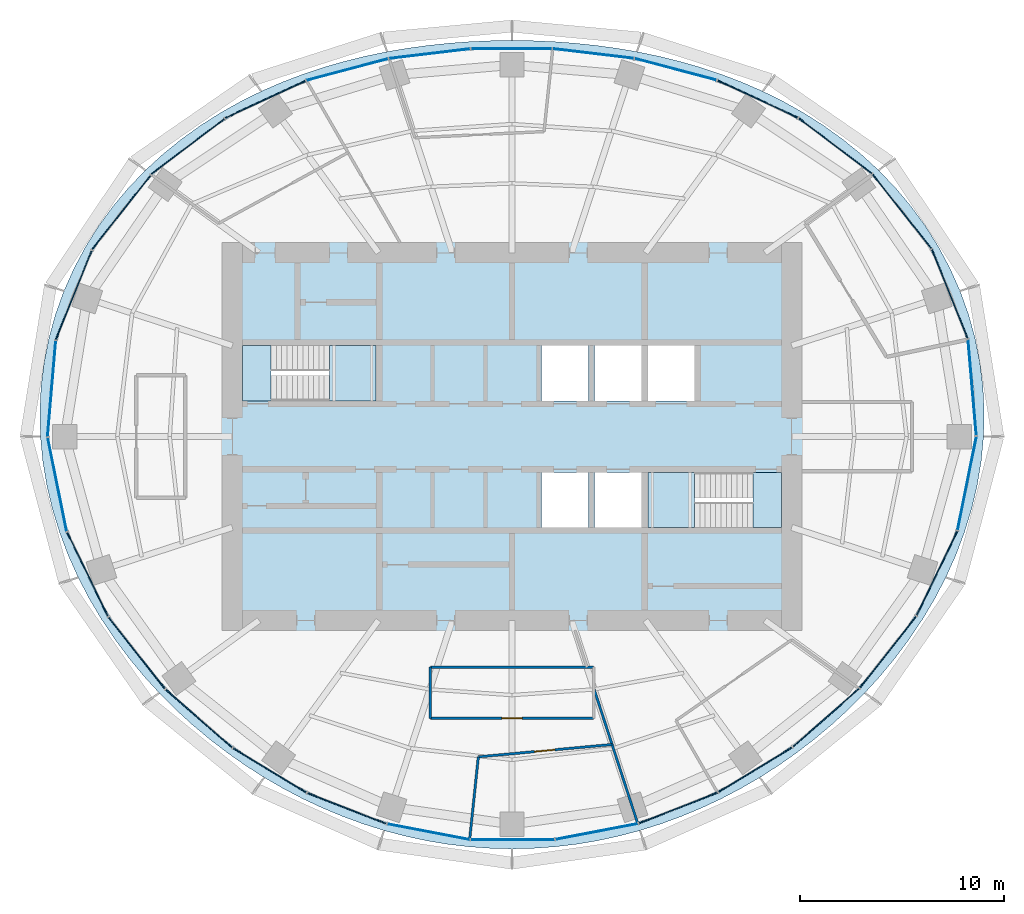
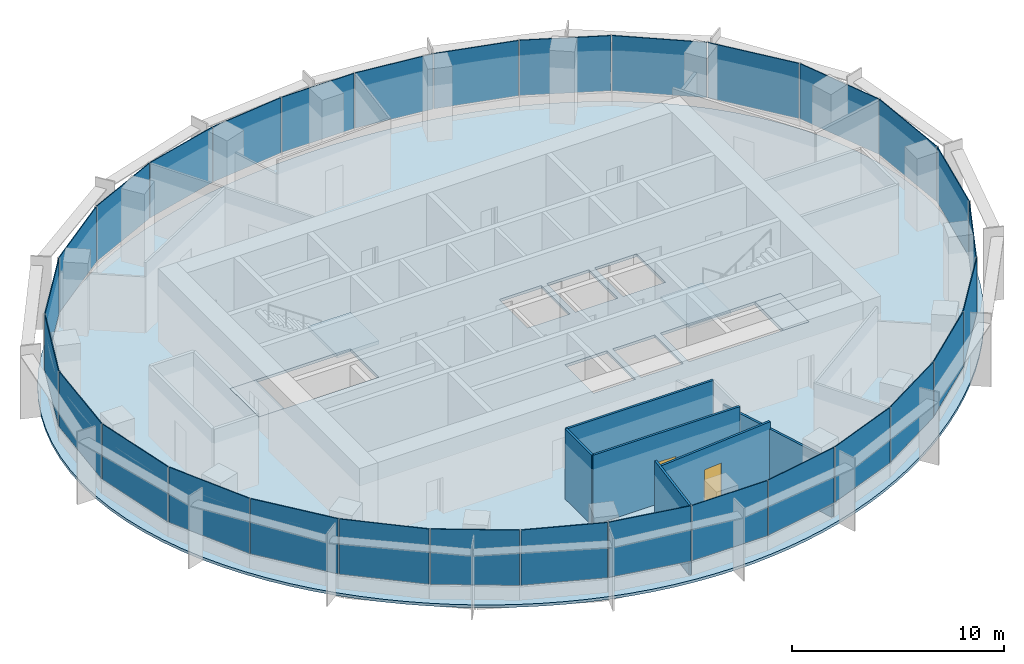
# One storey, part 8 of 13: 30 plates, 6 walls, 5 slabs, 2 doors, 2 openings, 8 elements without a shape of their own.
"""IFC4 building model written with IfcOpenShell, lengths in metres."""

from ifc_helpers import new_model, si_unit, direction, frame, frame_2d, origin, origin_2d, place, context, subcontext, project, spatial, polyline, rectangle, outline, extrude, material, layer, layer_set, type_object, element, fill, aggregate, save


model = new_model("IFC4")

# Units and contexts
model_context = context("Model", 3, precision=1e-05, world=origin(), true_north=direction((0.0, 1.0)))
body_context = subcontext(model_context, "Body", "Model", "MODEL_VIEW")
ifc_project = project(units=[si_unit("LENGTHUNIT", "METRE"), si_unit("AREAUNIT", "SQUARE_METRE"), si_unit("VOLUMEUNIT", "CUBIC_METRE"), si_unit("PLANEANGLEUNIT", "RADIAN"), si_unit("MASSUNIT", "GRAM", prefix="KILO")], contexts=[model_context])

# Site, building, storey
site_placement = place(None, origin())
site = spatial("IfcSite", under=ifc_project, at=site_placement, CompositionType="ELEMENT")
building_placement = place(site_placement, origin())
building = spatial("IfcBuilding", under=site, at=building_placement, Name="Marramba Exchange Tower", CompositionType="ELEMENT")
storey_placement = place(building_placement, frame((0.0, 0.0, 260.199951171875)))
storey = spatial("IfcBuildingStorey", under=building, at=storey_placement, Name="L63", CompositionType="ELEMENT", Elevation=260.199951171875)

# Slab
ifc_material_1 = material(Name="Concrete N40", Category="concrete")
ifc_layer_1 = layer(ifc_material_1, 0.159912109375)
ifc_layer_set_1 = layer_set([ifc_layer_1], Name="Composite floor slab 160")
slab_type_1 = type_object("IfcSlabType", Name="Composite floor slab 160", PredefinedType="FLOOR", material=ifc_layer_set_1)
slab_1_placement = place(storey_placement, frame((0.0, 0.0, -0.159912109375)))
element("IfcSlab", 1, at=slab_1_placement, inside=storey, type_object=slab_type_1, Name="Floor slab L63", PredefinedType="FLOOR", context=body_context, shape_type="SweptSolid", body=[
    extrude(outline(polyline([(23.10009765625, 0.0), (23.129150390625, 1.212158203125), (23.070068359375, 2.4248046875), (22.921630859375, 3.63037109375), (22.6845703125, 4.82177734375), (22.359619140625, 5.9912109375), (21.94970703125, 7.1318359375), (21.4580078125, 8.237060546875), (20.889404296875, 9.300537109375), (20.248779296875, 10.3173828125), (19.542236328125, 11.28271484375), (18.77587890625, 12.193359375), (17.95654296875, 13.046142578125), (17.090576171875, 13.83984375), (16.18505859375, 14.572998046875), (15.245849609375, 15.245849609375), (14.279541015625, 15.85888671875), (13.291259765625, 16.413330078125), (12.28662109375, 16.9111328125), (11.270263671875, 17.3544921875), (10.24560546875, 17.745849609375), (9.21630859375, 18.088134765625), (8.185302734375, 18.38427734375), (7.154296875, 18.63720703125), (6.124755859375, 18.849853515625), (5.09765625, 19.024658203125), (4.073486328125, 19.1640625), (3.05224609375, 19.2705078125), (2.033203125, 19.344970703125), (1.01611328125, 19.389404296875), (0.0, 19.404052734375), (-1.01611328125, 19.389404296875), (-2.033203125, 19.344970703125), (-3.05224609375, 19.2705078125), (-4.073486328125, 19.1640625), (-5.09765625, 19.024658203125), (-6.124755859375, 18.849853515625), (-7.154296875, 18.63720703125), (-8.185302734375, 18.38427734375), (-9.21630859375, 18.088134765625), (-10.24560546875, 17.745849609375), (-11.270263671875, 17.3544921875), (-12.28662109375, 16.9111328125), (-13.291259765625, 16.413330078125), (-14.279541015625, 15.85888671875), (-15.245849609375, 15.245849609375), (-16.18505859375, 14.572998046875), (-17.090576171875, 13.83984375), (-17.95654296875, 13.046142578125), (-18.77587890625, 12.193359375), (-19.542236328125, 11.28271484375), (-20.248779296875, 10.3173828125), (-20.889404296875, 9.300537109375), (-21.4580078125, 8.237060546875), (-21.94970703125, 7.1318359375), (-22.359619140625, 5.9912109375), (-22.6845703125, 4.82177734375), (-22.921630859375, 3.63037109375), (-23.070068359375, 2.4248046875), (-23.129150390625, 1.212158203125), (-23.10009765625, 0.0), (-22.98486328125, -1.20458984375), (-22.78662109375, -2.39501953125), (-22.50927734375, -3.565185546875), (-22.1572265625, -4.709716796875), (-21.736083984375, -5.82421875), (-21.250732421875, -6.90478515625), (-20.706787109375, -7.948486328125), (-20.109619140625, -8.953369140625), (-19.46435546875, -9.91748046875), (-18.77587890625, -10.84033203125), (-18.048583984375, -11.720947265625), (-17.2861328125, -12.55908203125), (-16.4921875, -13.355224609375), (-15.669677734375, -14.10888671875), (-14.820556640625, -14.820556640625), (-13.947509765625, -15.490478515625), (-13.05224609375, -16.1181640625), (-12.1357421875, -16.703369140625), (-11.199951171875, -17.246337890625), (-10.24560546875, -17.745849609375), (-9.274169921875, -18.20166015625), (-8.287109375, -18.613037109375), (-7.285400390625, -18.978759765625), (-6.2705078125, -19.29833984375), (-5.243896484375, -19.570556640625), (-4.20751953125, -19.79443359375), (-3.162841796875, -19.9697265625), (-2.112060546875, -20.09521484375), (-1.05712890625, -20.1708984375), (0.0, -20.196044921875), (1.05712890625, -20.1708984375), (2.112060546875, -20.09521484375), (3.162841796875, -19.9697265625), (4.20751953125, -19.79443359375), (5.243896484375, -19.570556640625), (6.2705078125, -19.29833984375), (7.285400390625, -18.978759765625), (8.287109375, -18.613037109375), (9.274169921875, -18.20166015625), (10.24560546875, -17.745849609375), (11.199951171875, -17.246337890625), (12.1357421875, -16.703369140625), (13.05224609375, -16.1181640625), (13.947509765625, -15.490478515625), (14.820556640625, -14.820556640625), (15.669677734375, -14.10888671875), (16.4921875, -13.355224609375), (17.2861328125, -12.55908203125), (18.048583984375, -11.720947265625), (18.77587890625, -10.84033203125), (19.46435546875, -9.91748046875), (20.109619140625, -8.953369140625), (20.706787109375, -7.948486328125), (21.250732421875, -6.90478515625), (21.736083984375, -5.82421875), (22.1572265625, -4.709716796875), (22.50927734375, -3.565185546875), (22.78662109375, -2.39501953125), (22.98486328125, -1.20458984375), (23.10009765625, 0.0)]), holes=[polyline([(1.449951171875, 1.75), (3.75, 1.75), (3.75, 4.449951171875), (1.449951171875, 4.449951171875), (1.449951171875, 1.75)]), polyline([(4.050048828125, 1.75), (6.35009765625, 1.75), (6.35009765625, 4.449951171875), (4.050048828125, 4.449951171875), (4.050048828125, 1.75)]), polyline([(1.449951171875, -4.449951171875), (3.75, -4.449951171875), (3.75, -1.75), (1.449951171875, -1.75), (1.449951171875, -4.449951171875)]), polyline([(4.050048828125, -4.449951171875), (6.35009765625, -4.449951171875), (6.35009765625, -1.75), (4.050048828125, -1.75), (4.050048828125, -4.449951171875)]), polyline([(6.64990234375, 1.75), (8.949951171875, 1.75), (8.949951171875, 4.449951171875), (6.64990234375, 4.449951171875), (6.64990234375, 1.75)]), polyline([(-13.199951171875, 1.75), (-6.64990234375, 1.75), (-6.64990234375, 4.449951171875), (-13.199951171875, 4.449951171875), (-13.199951171875, 1.75)]), polyline([(6.64990234375, -4.449951171875), (13.199951171875, -4.449951171875), (13.199951171875, -1.75), (6.64990234375, -1.75), (6.64990234375, -4.449951171875)])]), origin(), (0.0, 0.0, 1.0), 0.159912109375),
])

# Curtain wall, plates
ifc_material_2 = material(Name="Aluminium framing, bronze anodised", Category="aluminium")
curtain_wall_type = type_object("IfcCurtainWallType", Name="Executive floor ribbon curtain wall", PredefinedType="USERDEFINED", material=ifc_material_2)
curtain_wall_1_placement = place(storey_placement, origin())
curtain_wall_1 = element("IfcCurtainWall", 2, at=curtain_wall_1_placement, inside=storey, type_object=curtain_wall_type, Name="Curtain wall CW5 L63 F01-F05", ObjectType="RIBBON CURTAIN WALL", PredefinedType="USERDEFINED")
ifc_material_3 = material(Name="Laminated double glazed unit 13.52 + 20 + 13.52, bronze tinted, acoustic interlayer", Category="glass")
ifc_layer_2 = layer(ifc_material_3, 0.047119140625)
ifc_layer_set_2 = layer_set([ifc_layer_2], Name="Executive floor ribbon curtain wall panel")
plate_type = type_object("IfcPlateType", Name="Executive floor ribbon curtain wall panel", PredefinedType="CURTAIN_PANEL", material=ifc_layer_set_2)
plate_1_placement = place(storey_placement, frame((22.54345703125, 2.404296875, 0.85986328125), z_axis=(0.0, 0.0, 1.0), x_axis=(-0.085574009881, 0.996331816632, 0.0)))
plate_1 = element("IfcPlate", 3, at=plate_1_placement, type_object=plate_type, Name="CW5 vision panel", PredefinedType="CURTAIN_PANEL", context=body_context, shape_type="SweptSolid", body=[
    extrude(rectangle(XDim=4.70654296875, YDim=0.047119140625, at=origin_2d()), origin(), (0.0, 0.0, 1.0), 3.179931640625),
])
plate_2_placement = place(storey_placement, frame((21.444580078125, 6.9814453125, 0.85986328125), z_axis=(0.0, 0.0, 1.0), x_axis=(-0.372983090774, 0.927838139977, 0.0)))
plate_2 = element("IfcPlate", 4, at=plate_2_placement, type_object=plate_type, Name="CW5 vision panel", PredefinedType="CURTAIN_PANEL", context=body_context, shape_type="SweptSolid", body=[
    extrude(rectangle(XDim=4.692138671875, YDim=0.047119140625, at=origin_2d()), origin(), (0.0, 0.0, 1.0), 3.179931640625),
])
plate_3_placement = place(storey_placement, frame((19.10302734375, 11.02294921875, 0.85986328125), z_axis=(0.0, 0.0, 1.0), x_axis=(-0.618222857512, 0.786002861604, 0.0)))
plate_3 = element("IfcPlate", 5, at=plate_3_placement, type_object=plate_type, Name="CW5 vision panel", PredefinedType="CURTAIN_PANEL", context=body_context, shape_type="SweptSolid", body=[
    extrude(rectangle(XDim=4.624755859375, YDim=0.047119140625, at=origin_2d()), origin(), (0.0, 0.0, 1.0), 3.179931640625),
])
plate_4_placement = place(storey_placement, frame((15.83544921875, 14.23779296875, 0.85986328125), z_axis=(0.0, 0.0, 1.0), x_axis=(-0.796058900199, 0.605219156516, 0.0)))
plate_4 = element("IfcPlate", 6, at=plate_4_placement, type_object=plate_type, Name="CW5 vision panel", PredefinedType="CURTAIN_PANEL", context=body_context, shape_type="SweptSolid", body=[
    extrude(rectangle(XDim=4.49755859375, YDim=0.047119140625, at=origin_2d()), origin(), (0.0, 0.0, 1.0), 3.179931640625),
])
plate_5_placement = place(storey_placement, frame((12.03076171875, 16.533447265625, 0.85986328125), z_axis=(0.0, 0.0, 1.0), x_axis=(-0.90713057934, 0.420849274712, 0.0)))
plate_5 = element("IfcPlate", 7, at=plate_5_placement, type_object=plate_type, Name="CW5 vision panel", PredefinedType="CURTAIN_PANEL", context=body_context, shape_type="SweptSolid", body=[
    extrude(rectangle(XDim=4.321533203125, YDim=0.047119140625, at=origin_2d()), origin(), (0.0, 0.0, 1.0), 3.179931640625),
])
aggregate(curtain_wall_1, [plate_1, plate_2, plate_3, plate_4, plate_5])

curtain_wall_2_placement = place(storey_placement, origin())
curtain_wall_2 = element("IfcCurtainWall", 8, at=curtain_wall_2_placement, inside=storey, type_object=curtain_wall_type, Name="Curtain wall CW5 L63 F06-F10", ObjectType="RIBBON CURTAIN WALL", PredefinedType="USERDEFINED")
plate_6_placement = place(storey_placement, frame((8.0146484375, 17.987548828125, 0.85986328125), z_axis=(0.0, 0.0, 1.0), x_axis=(-0.966643517501, 0.256125574813, 0.0)))
plate_6 = element("IfcPlate", 9, at=plate_6_placement, type_object=plate_type, Name="CW5 vision panel", PredefinedType="CURTAIN_PANEL", context=body_context, shape_type="SweptSolid", body=[
    extrude(rectangle(XDim=4.134033203125, YDim=0.047119140625, at=origin_2d()), origin(), (0.0, 0.0, 1.0), 3.179931640625),
])
plate_7_placement = place(storey_placement, frame((3.976806640625, 18.760498046875, 0.85986328125), z_axis=(0.0, 0.0, 1.0), x_axis=(-0.992947253654, 0.118556954505, 0.0)))
plate_7 = element("IfcPlate", 10, at=plate_7_placement, type_object=plate_type, Name="CW5 vision panel", PredefinedType="CURTAIN_PANEL", context=body_context, shape_type="SweptSolid", body=[
    extrude(rectangle(XDim=3.988525390625, YDim=0.047119140625, at=origin_2d()), origin(), (0.0, 0.0, 1.0), 3.179931640625),
])
plate_8_placement = place(storey_placement, frame((-0.030029296875, 18.9970703125, 0.85986328125), z_axis=(0.0, 0.0, 1.0), x_axis=(-1.0, 0.0, 0.0)))
plate_8 = element("IfcPlate", 11, at=plate_8_placement, type_object=plate_type, Name="CW5 vision panel", PredefinedType="CURTAIN_PANEL", context=body_context, shape_type="SweptSolid", body=[
    extrude(rectangle(XDim=3.933349609375, YDim=0.047119140625, at=origin_2d()), origin(), (0.0, 0.0, 1.0), 3.179931640625),
])
plate_9_placement = place(storey_placement, frame((-4.036376953125, 18.75341796875, 0.85986328125), z_axis=(0.0, 0.0, 1.0), x_axis=(-0.992947253654, -0.118556954505, 0.0)))
plate_9 = element("IfcPlate", 12, at=plate_9_placement, type_object=plate_type, Name="CW5 vision panel", PredefinedType="CURTAIN_PANEL", context=body_context, shape_type="SweptSolid", body=[
    extrude(rectangle(XDim=3.988525390625, YDim=0.047119140625, at=origin_2d()), origin(), (0.0, 0.0, 1.0), 3.179931640625),
])
plate_10_placement = place(storey_placement, frame((-8.072509765625, 17.97216796875, 0.85986328125), z_axis=(0.0, 0.0, 1.0), x_axis=(-0.966643517501, -0.256125574813, 0.0)))
plate_10 = element("IfcPlate", 13, at=plate_10_placement, type_object=plate_type, Name="CW5 vision panel", PredefinedType="CURTAIN_PANEL", context=body_context, shape_type="SweptSolid", body=[
    extrude(rectangle(XDim=4.134033203125, YDim=0.047119140625, at=origin_2d()), origin(), (0.0, 0.0, 1.0), 3.179931640625),
])
aggregate(curtain_wall_2, [plate_6, plate_7, plate_8, plate_9, plate_10])

curtain_wall_3_placement = place(storey_placement, origin())
curtain_wall_3 = element("IfcCurtainWall", 14, at=curtain_wall_3_placement, inside=storey, type_object=curtain_wall_type, Name="Curtain wall CW5 L63 F11-F15", ObjectType="RIBBON CURTAIN WALL", PredefinedType="USERDEFINED")
plate_11_placement = place(storey_placement, frame((-12.085205078125, 16.50830078125, 0.85986328125), z_axis=(0.0, 0.0, 1.0), x_axis=(-0.90713057934, -0.420849274712, 0.0)))
plate_11 = element("IfcPlate", 15, at=plate_11_placement, type_object=plate_type, Name="CW5 vision panel", PredefinedType="CURTAIN_PANEL", context=body_context, shape_type="SweptSolid", body=[
    extrude(rectangle(XDim=4.321533203125, YDim=0.047119140625, at=origin_2d()), origin(), (0.0, 0.0, 1.0), 3.179931640625),
])
plate_12_placement = place(storey_placement, frame((-15.88330078125, 14.201416015625, 0.85986328125), z_axis=(0.0, 0.0, 1.0), x_axis=(-0.796058900199, -0.605219156516, 0.0)))
plate_12 = element("IfcPlate", 16, at=plate_12_placement, type_object=plate_type, Name="CW5 vision panel", PredefinedType="CURTAIN_PANEL", context=body_context, shape_type="SweptSolid", body=[
    extrude(rectangle(XDim=4.49755859375, YDim=0.047119140625, at=origin_2d()), origin(), (0.0, 0.0, 1.0), 3.179931640625),
])
plate_13_placement = place(storey_placement, frame((-19.14013671875, 10.975830078125, 0.85986328125), z_axis=(0.0, 0.0, 1.0), x_axis=(-0.618222857512, -0.786002861604, 0.0)))
plate_13 = element("IfcPlate", 17, at=plate_13_placement, type_object=plate_type, Name="CW5 vision panel", PredefinedType="CURTAIN_PANEL", context=body_context, shape_type="SweptSolid", body=[
    extrude(rectangle(XDim=4.624755859375, YDim=0.047119140625, at=origin_2d()), origin(), (0.0, 0.0, 1.0), 3.179931640625),
])
plate_14_placement = place(storey_placement, frame((-21.467041015625, 6.92578125, 0.85986328125), z_axis=(0.0, 0.0, 1.0), x_axis=(-0.372983090774, -0.927838139977, 0.0)))
plate_14 = element("IfcPlate", 18, at=plate_14_placement, type_object=plate_type, Name="CW5 vision panel", PredefinedType="CURTAIN_PANEL", context=body_context, shape_type="SweptSolid", body=[
    extrude(rectangle(XDim=4.692138671875, YDim=0.047119140625, at=origin_2d()), origin(), (0.0, 0.0, 1.0), 3.179931640625),
])
plate_15_placement = place(storey_placement, frame((-22.548583984375, 2.344482421875, 0.85986328125), z_axis=(0.0, 0.0, 1.0), x_axis=(-0.085574009881, -0.996331816632, 0.0)))
plate_15 = element("IfcPlate", 19, at=plate_15_placement, type_object=plate_type, Name="CW5 vision panel", PredefinedType="CURTAIN_PANEL", context=body_context, shape_type="SweptSolid", body=[
    extrude(rectangle(XDim=4.70654296875, YDim=0.047119140625, at=origin_2d()), origin(), (0.0, 0.0, 1.0), 3.179931640625),
])
aggregate(curtain_wall_3, [plate_11, plate_12, plate_13, plate_14, plate_15])

curtain_wall_4_placement = place(storey_placement, origin())
curtain_wall_4 = element("IfcCurtainWall", 20, at=curtain_wall_4_placement, inside=storey, type_object=curtain_wall_type, Name="Curtain wall CW5 L63 F16-F20", ObjectType="RIBBON CURTAIN WALL", PredefinedType="USERDEFINED")
plate_16_placement = place(storey_placement, frame((-22.276611328125, -2.347900390625, 0.85986328125), z_axis=(0.0, 0.0, 1.0), x_axis=(0.19767053089, -0.980268514856, 0.0)))
plate_16 = element("IfcPlate", 21, at=plate_16_placement, type_object=plate_type, Name="CW5 vision panel", PredefinedType="CURTAIN_PANEL", context=body_context, shape_type="SweptSolid", body=[
    extrude(rectangle(XDim=4.670166015625, YDim=0.047119140625, at=origin_2d()), origin(), (0.0, 0.0, 1.0), 3.179931640625),
])
plate_17_placement = place(storey_placement, frame((-20.789306640625, -6.7509765625, 0.85986328125), z_axis=(0.0, 0.0, 1.0), x_axis=(0.436514585945, -0.89969718031, 0.0)))
plate_17 = element("IfcPlate", 22, at=plate_17_placement, type_object=plate_type, Name="CW5 vision panel", PredefinedType="CURTAIN_PANEL", context=body_context, shape_type="SweptSolid", body=[
    extrude(rectangle(XDim=4.579345703125, YDim=0.047119140625, at=origin_2d()), origin(), (0.0, 0.0, 1.0), 3.179931640625),
])
plate_18_placement = place(storey_placement, frame((-18.3779296875, -10.605712890625, 0.85986328125), z_axis=(0.0, 0.0, 1.0), x_axis=(0.618290634763, -0.78594954734, 0.0)))
plate_18 = element("IfcPlate", 23, at=plate_18_placement, type_object=plate_type, Name="CW5 vision panel", PredefinedType="CURTAIN_PANEL", context=body_context, shape_type="SweptSolid", body=[
    extrude(rectangle(XDim=4.447265625, YDim=0.047119140625, at=origin_2d()), origin(), (0.0, 0.0, 1.0), 3.179931640625),
])
plate_19_placement = place(storey_placement, frame((-15.335693359375, -13.8115234375, 0.85986328125), z_axis=(0.0, 0.0, 1.0), x_axis=(0.752751050569, -0.658305290779, 0.0)))
plate_19 = element("IfcPlate", 24, at=plate_19_placement, type_object=plate_type, Name="CW5 vision panel", PredefinedType="CURTAIN_PANEL", context=body_context, shape_type="SweptSolid", body=[
    extrude(rectangle(XDim=4.31005859375, YDim=0.047119140625, at=origin_2d()), origin(), (0.0, 0.0, 1.0), 3.179931640625),
])
plate_20_placement = place(storey_placement, frame((-11.866455078125, -16.35205078125, 0.85986328125), z_axis=(0.0, 0.0, 1.0), x_axis=(0.854704329539, -0.519115121209, 0.0)))
plate_20 = element("IfcPlate", 25, at=plate_20_placement, type_object=plate_type, Name="CW5 vision panel", PredefinedType="CURTAIN_PANEL", context=body_context, shape_type="SweptSolid", body=[
    extrude(rectangle(XDim=4.2021484375, YDim=0.047119140625, at=origin_2d()), origin(), (0.0, 0.0, 1.0), 3.179931640625),
])
aggregate(curtain_wall_4, [plate_16, plate_17, plate_18, plate_19, plate_20])

curtain_wall_5_placement = place(storey_placement, origin())
curtain_wall_5 = element("IfcCurtainWall", 26, at=curtain_wall_5_placement, inside=storey, type_object=curtain_wall_type, Name="Curtain wall CW5 L63 F21-F25", ObjectType="RIBBON CURTAIN WALL", PredefinedType="USERDEFINED")
plate_21_placement = place(storey_placement, frame((-8.08837890625, -18.215087890625, 0.85986328125), z_axis=(0.0, 0.0, 1.0), x_axis=(0.931785137859, -0.363010271018, 0.0)))
plate_21 = element("IfcPlate", 27, at=plate_21_placement, type_object=plate_type, Name="CW5 vision panel", PredefinedType="CURTAIN_PANEL", context=body_context, shape_type="SweptSolid", body=[
    extrude(rectangle(XDim=4.134521484375, YDim=0.047119140625, at=origin_2d()), origin(), (0.0, 0.0, 1.0), 3.179931640625),
])
plate_22_placement = place(storey_placement, frame((-4.08935546875, -19.36181640625, 0.85986328125), z_axis=(0.0, 0.0, 1.0), x_axis=(0.982193291127, -0.187873198899, 0.0)))
plate_22 = element("IfcPlate", 28, at=plate_22_placement, type_object=plate_type, Name="CW5 vision panel", PredefinedType="CURTAIN_PANEL", context=body_context, shape_type="SweptSolid", body=[
    extrude(rectangle(XDim=4.100830078125, YDim=0.047119140625, at=origin_2d()), origin(), (0.0, 0.0, 1.0), 3.179931640625),
])
plate_23_placement = place(storey_placement, frame((0.030029296875, -19.7470703125, 0.85986328125), z_axis=(0.0, 0.0, 1.0), x_axis=(1.0, 0.0, 0.0)))
plate_23 = element("IfcPlate", 29, at=plate_23_placement, type_object=plate_type, Name="CW5 vision panel", PredefinedType="CURTAIN_PANEL", context=body_context, shape_type="SweptSolid", body=[
    extrude(rectangle(XDim=4.091064453125, YDim=0.047119140625, at=origin_2d()), origin(), (0.0, 0.0, 1.0), 3.179931640625),
])
plate_24_placement = place(storey_placement, frame((4.1484375, -19.3505859375, 0.85986328125), z_axis=(0.0, 0.0, 1.0), x_axis=(0.982193291127, 0.187873198899, 0.0)))
plate_24 = element("IfcPlate", 30, at=plate_24_placement, type_object=plate_type, Name="CW5 vision panel", PredefinedType="CURTAIN_PANEL", context=body_context, shape_type="SweptSolid", body=[
    extrude(rectangle(XDim=4.100830078125, YDim=0.047119140625, at=origin_2d()), origin(), (0.0, 0.0, 1.0), 3.179931640625),
])
plate_25_placement = place(storey_placement, frame((8.144287109375, -18.193115234375, 0.85986328125), z_axis=(0.0, 0.0, 1.0), x_axis=(0.931785137859, 0.363010271018, 0.0)))
plate_25 = element("IfcPlate", 31, at=plate_25_placement, type_object=plate_type, Name="CW5 vision panel", PredefinedType="CURTAIN_PANEL", context=body_context, shape_type="SweptSolid", body=[
    extrude(rectangle(XDim=4.134521484375, YDim=0.047119140625, at=origin_2d()), origin(), (0.0, 0.0, 1.0), 3.179931640625),
])
aggregate(curtain_wall_5, [plate_21, plate_22, plate_23, plate_24, plate_25])

curtain_wall_6_placement = place(storey_placement, origin())
curtain_wall_6 = element("IfcCurtainWall", 32, at=curtain_wall_6_placement, inside=storey, type_object=curtain_wall_type, Name="Curtain wall CW5 L63 F26-F30", ObjectType="RIBBON CURTAIN WALL", PredefinedType="USERDEFINED")
plate_26_placement = place(storey_placement, frame((11.917724609375, -16.321044921875, 0.85986328125), z_axis=(0.0, 0.0, 1.0), x_axis=(0.854704329539, 0.519115121209, 0.0)))
plate_26 = element("IfcPlate", 33, at=plate_26_placement, type_object=plate_type, Name="CW5 vision panel", PredefinedType="CURTAIN_PANEL", context=body_context, shape_type="SweptSolid", body=[
    extrude(rectangle(XDim=4.2021484375, YDim=0.047119140625, at=origin_2d()), origin(), (0.0, 0.0, 1.0), 3.179931640625),
])
plate_27_placement = place(storey_placement, frame((15.380859375, -13.772216796875, 0.85986328125), z_axis=(0.0, 0.0, 1.0), x_axis=(0.752751050569, 0.658305290779, 0.0)))
plate_27 = element("IfcPlate", 34, at=plate_27_placement, type_object=plate_type, Name="CW5 vision panel", PredefinedType="CURTAIN_PANEL", context=body_context, shape_type="SweptSolid", body=[
    extrude(rectangle(XDim=4.31005859375, YDim=0.047119140625, at=origin_2d()), origin(), (0.0, 0.0, 1.0), 3.179931640625),
])
plate_28_placement = place(storey_placement, frame((18.4150390625, -10.55859375, 0.85986328125), z_axis=(0.0, 0.0, 1.0), x_axis=(0.618290634763, 0.78594954734, 0.0)))
plate_28 = element("IfcPlate", 35, at=plate_28_placement, type_object=plate_type, Name="CW5 vision panel", PredefinedType="CURTAIN_PANEL", context=body_context, shape_type="SweptSolid", body=[
    extrude(rectangle(XDim=4.447265625, YDim=0.047119140625, at=origin_2d()), origin(), (0.0, 0.0, 1.0), 3.179931640625),
])
plate_29_placement = place(storey_placement, frame((20.8154296875, -6.697021484375, 0.85986328125), z_axis=(0.0, 0.0, 1.0), x_axis=(0.436514585945, 0.89969718031, 0.0)))
plate_29 = element("IfcPlate", 36, at=plate_29_placement, type_object=plate_type, Name="CW5 vision panel", PredefinedType="CURTAIN_PANEL", context=body_context, shape_type="SweptSolid", body=[
    extrude(rectangle(XDim=4.579345703125, YDim=0.047119140625, at=origin_2d()), origin(), (0.0, 0.0, 1.0), 3.179931640625),
])
plate_30_placement = place(storey_placement, frame((22.288330078125, -2.2890625, 0.85986328125), z_axis=(0.0, 0.0, 1.0), x_axis=(0.19767053089, 0.980268514856, 0.0)))
plate_30 = element("IfcPlate", 37, at=plate_30_placement, type_object=plate_type, Name="CW5 vision panel", PredefinedType="CURTAIN_PANEL", context=body_context, shape_type="SweptSolid", body=[
    extrude(rectangle(XDim=4.670166015625, YDim=0.047119140625, at=origin_2d()), origin(), (0.0, 0.0, 1.0), 3.179931640625),
])
aggregate(curtain_wall_6, [plate_26, plate_27, plate_28, plate_29, plate_30])

# Stair, slabs
ifc_material_4 = material(Name="Concrete N40 (40 MPa)", Category="concrete")
stair_type_1 = type_object("IfcStairType", Name="Exit stair ST1 4200 x 1250", PredefinedType="HALF_TURN_STAIR", material=ifc_material_4)
stair_1_placement = place(storey_placement, origin())
stair_1 = element("IfcStair", 38, at=stair_1_placement, inside=storey, type_object=stair_type_1, Name="Exit stair ST1 L63", PredefinedType="HALF_TURN_STAIR")
ifc_layer_3 = layer(ifc_material_4, 0.199951171875)
ifc_layer_set_3 = layer_set([ifc_layer_3], Name="Stair landing 200")
slab_type_2 = type_object("IfcSlabType", Name="Stair landing 200", PredefinedType="LANDING", material=ifc_layer_set_3)
slab_2_placement = place(storey_placement, frame((0.0, 0.0, -0.199951171875)))
slab_2 = element("IfcSlab", 39, at=slab_2_placement, type_object=slab_type_2, Name="ST1 landing 1", PredefinedType="LANDING", context=body_context, shape_type="SweptSolid", body=[
    extrude(outline(polyline([(-13.199951171875, 1.75), (-11.800048828125, 1.75), (-11.800048828125, 4.449951171875), (-13.199951171875, 4.449951171875), (-13.199951171875, 1.75)])), origin(), (0.0, 0.0, 1.0), 0.199951171875),
])
slab_3_placement = place(storey_placement, frame((0.0, 0.0, 1.900146484375)))
slab_3 = element("IfcSlab", 40, at=slab_3_placement, type_object=slab_type_2, Name="ST1 landing 2", PredefinedType="LANDING", context=body_context, shape_type="SweptSolid", body=[
    extrude(outline(polyline([(-8.93994140625, 1.75), (-6.64990234375, 1.75), (-6.64990234375, 4.449951171875), (-8.93994140625, 4.449951171875), (-8.93994140625, 1.75)])), origin(), (0.0, 0.0, 1.0), 0.199951171875),
])
aggregate(stair_1, [slab_2, slab_3])

stair_type_2 = type_object("IfcStairType", Name="Exit stair ST2 4200 x 1250", PredefinedType="HALF_TURN_STAIR", material=ifc_material_4)
stair_2_placement = place(storey_placement, origin())
stair_2 = element("IfcStair", 41, at=stair_2_placement, inside=storey, type_object=stair_type_2, Name="Exit stair ST2 L63", PredefinedType="HALF_TURN_STAIR")
slab_4_placement = place(storey_placement, frame((0.0, 0.0, -0.199951171875)))
slab_4 = element("IfcSlab", 42, at=slab_4_placement, type_object=slab_type_2, Name="ST2 landing 1", PredefinedType="LANDING", context=body_context, shape_type="SweptSolid", body=[
    extrude(outline(polyline([(11.800048828125, -4.449951171875), (13.199951171875, -4.449951171875), (13.199951171875, -1.75), (11.800048828125, -1.75), (11.800048828125, -4.449951171875)])), origin(), (0.0, 0.0, 1.0), 0.199951171875),
])
slab_5_placement = place(storey_placement, frame((0.0, 0.0, 1.900146484375)))
slab_5 = element("IfcSlab", 43, at=slab_5_placement, type_object=slab_type_2, Name="ST2 landing 2", PredefinedType="LANDING", context=body_context, shape_type="SweptSolid", body=[
    extrude(outline(polyline([(6.64990234375, -4.449951171875), (8.93994140625, -4.449951171875), (8.93994140625, -1.75), (6.64990234375, -1.75), (6.64990234375, -4.449951171875)])), origin(), (0.0, 0.0, 1.0), 0.199951171875),
])
aggregate(stair_2, [slab_4, slab_5])

# Walls
ifc_material_5 = material(Name="Plasterboard on steel studs", Category="steel")
ifc_layer_4 = layer(ifc_material_5, 0.1201171875)
ifc_layer_set_4 = layer_set([ifc_layer_4], Name="Partition 120")
wall_type = type_object("IfcWallType", Name="Partition 120", PredefinedType="PARTITIONING", material=ifc_layer_set_4)
wall_1_placement = place(storey_placement, frame((-4.0, -11.300048828125, 0.0), z_axis=(0.0, 0.0, 1.0), x_axis=(0.0, -1.0, 0.0)))
element("IfcWall", 44, at=wall_1_placement, inside=storey, type_object=wall_type, Name="Partition L63 02", PredefinedType="PARTITIONING", context=body_context, shape_type="SweptSolid", body=[
    extrude(rectangle(XDim=2.5, YDim=0.1201171875, at=frame_2d((1.25, 0.0))), origin(), (0.0, 0.0, 1.0), 4.0400390625),
])
wall_2_placement = place(storey_placement, frame((-1.64892578125, -15.689453125, 0.0), z_axis=(0.0, 0.0, 1.0), x_axis=(-0.104554517933, -0.994519156568, 0.0)))
element("IfcWall", 45, at=wall_2_placement, inside=storey, type_object=wall_type, Name="Partition L63 03", PredefinedType="PARTITIONING", context=body_context, shape_type="SweptSolid", body=[
    extrude(rectangle(XDim=4.0, YDim=0.1201171875, at=frame_2d((2.0, 0.0))), origin(), (0.0, 0.0, 1.0), 4.0400390625),
])

# Wall, opening, door
wall_3_placement = place(storey_placement, frame((-4.0, -13.800048828125, 0.0), z_axis=(0.0, 0.0, 1.0), x_axis=(1.0, 0.0, 0.0)))
wall_3 = element("IfcWall", 46, at=wall_3_placement, inside=storey, type_object=wall_type, Name="Partition L63 04", PredefinedType="PARTITIONING", context=body_context, shape_type="SweptSolid", body=[
    extrude(rectangle(XDim=8.0, YDim=0.1201171875, at=frame_2d((4.0, 0.0))), origin(), (0.0, 0.0, 1.0), 4.0400390625),
])
opening_1_placement = place(wall_3_placement, frame((3.5, 0.0, 0.0)))
opening_1 = element("IfcOpeningElement", 47, at=opening_1_placement, cuts=wall_3, Name="Opening D9", PredefinedType="OPENING", context=body_context, shape_type="SweptSolid", body=[
    extrude(rectangle(XDim=1.0, YDim=2.39990234375, at=frame_2d((0.5, 1.199951171875))), frame((0.0, 0.070068359375, 0.0), z_axis=(0.0, -1.0, 0.0), x_axis=(1.0, 0.0, 0.0)), (0.0, 0.0, 1.0), 0.14013671875),
])
ifc_material_6 = material(Name="Timber door", Category="wood")
door_type = type_object("IfcDoorType", Name="Room door 1000x2400", OperationType="SINGLE_SWING_LEFT", PredefinedType="DOOR", material=ifc_material_6)
door_1_placement = place(opening_1_placement, origin())
door_1 = element("IfcDoor", 48, at=door_1_placement, inside=storey, type_object=door_type, Name="D9 Pantry L63", OperationType="SINGLE_SWING_RIGHT", OverallHeight=2.39990234375, OverallWidth=1.0, PredefinedType="DOOR", context=body_context, shape_type="SweptSolid", body=[
    extrude(rectangle(XDim=1.0, YDim=2.39990234375, at=frame_2d((0.5, 1.199951171875))), frame((0.0, 0.02490234375, 0.0), z_axis=(0.0, -1.0, 0.0), x_axis=(1.0, 0.0, 0.0)), (0.0, 0.0, 1.0), 0.050048828125),
])
fill(opening_1, door_1)

# Wall
wall_4_placement = place(storey_placement, frame((4.0, -11.300048828125, 0.0), z_axis=(0.0, 0.0, 1.0), x_axis=(-1.0, 0.0, 0.0)))
element("IfcWall", 49, at=wall_4_placement, inside=storey, type_object=wall_type, Name="Partition L63 05", PredefinedType="PARTITIONING", context=body_context, shape_type="SweptSolid", body=[
    extrude(rectangle(XDim=8.0, YDim=0.1201171875, at=frame_2d((4.0, 0.0))), origin(), (0.0, 0.0, 1.0), 4.0400390625),
])

# Wall, opening, door
wall_5_placement = place(storey_placement, frame((4.9013671875, -15.085205078125, 0.0), z_axis=(0.0, 0.0, 1.0), x_axis=(-0.995772164665, -0.091857476986, 0.0)))
wall_5 = element("IfcWall", 50, at=wall_5_placement, inside=storey, type_object=wall_type, Name="Partition L63 06", PredefinedType="PARTITIONING", context=body_context, shape_type="SweptSolid", body=[
    extrude(rectangle(XDim=6.578125, YDim=0.1201171875, at=frame_2d((3.2890625, 0.0))), origin(), (0.0, 0.0, 1.0), 3.636962890625),
])
opening_2_placement = place(wall_5_placement, frame((2.81396484375, 0.0, 0.0)))
opening_2 = element("IfcOpeningElement", 51, at=opening_2_placement, cuts=wall_5, Name="Opening D9", PredefinedType="OPENING", context=body_context, shape_type="SweptSolid", body=[
    extrude(rectangle(XDim=1.0, YDim=2.39990234375, at=frame_2d((0.5, 1.199951171875))), frame((0.0, 0.070068359375, 0.0), z_axis=(0.0, -1.0, 0.0), x_axis=(1.0, 0.0, 0.0)), (0.0, 0.0, 1.0), 0.14013671875),
])
door_2_placement = place(opening_2_placement, origin())
door_2 = element("IfcDoor", 52, at=door_2_placement, inside=storey, type_object=door_type, Name="D9 Executive Office 3 L63", OperationType="SINGLE_SWING_RIGHT", OverallHeight=2.39990234375, OverallWidth=1.0, PredefinedType="DOOR", context=body_context, shape_type="SweptSolid", body=[
    extrude(rectangle(XDim=1.0, YDim=2.39990234375, at=frame_2d((0.5, 1.199951171875))), frame((0.0, 0.02490234375, 0.0), z_axis=(0.0, -1.0, 0.0), x_axis=(1.0, 0.0, 0.0)), (0.0, 0.0, 1.0), 0.050048828125),
])
fill(opening_2, door_2)

# Wall
wall_6_placement = place(storey_placement, frame((6.137451171875, -18.889404296875, 0.0), z_axis=(0.0, 0.0, 1.0), x_axis=(-0.309007859613, 0.951059484311, 0.0)))
element("IfcWall", 53, at=wall_6_placement, inside=storey, type_object=wall_type, Name="Partition L63 08", PredefinedType="PARTITIONING", context=body_context, shape_type="SweptSolid", body=[
    extrude(rectangle(XDim=6.917236328125, YDim=0.1201171875, at=frame_2d((3.45849609375, 0.0))), origin(), (0.0, 0.0, 1.0), 3.239990234375),
])

save(model, "model.ifc")
